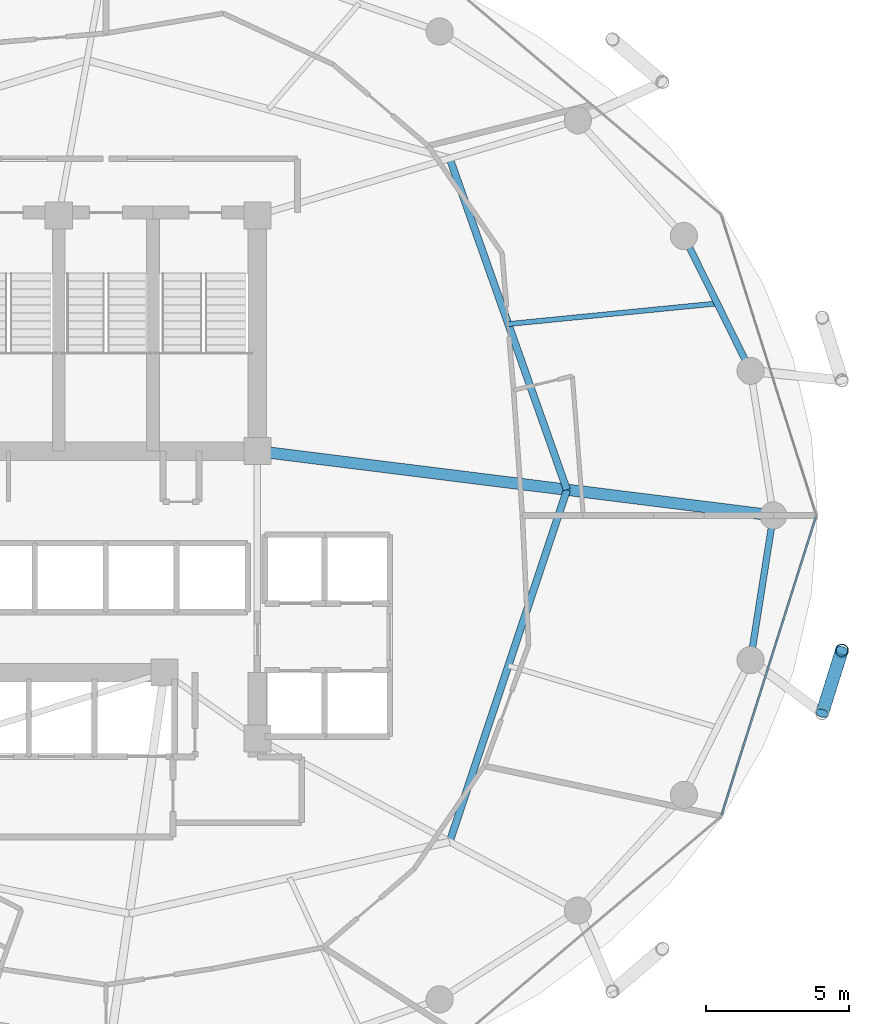
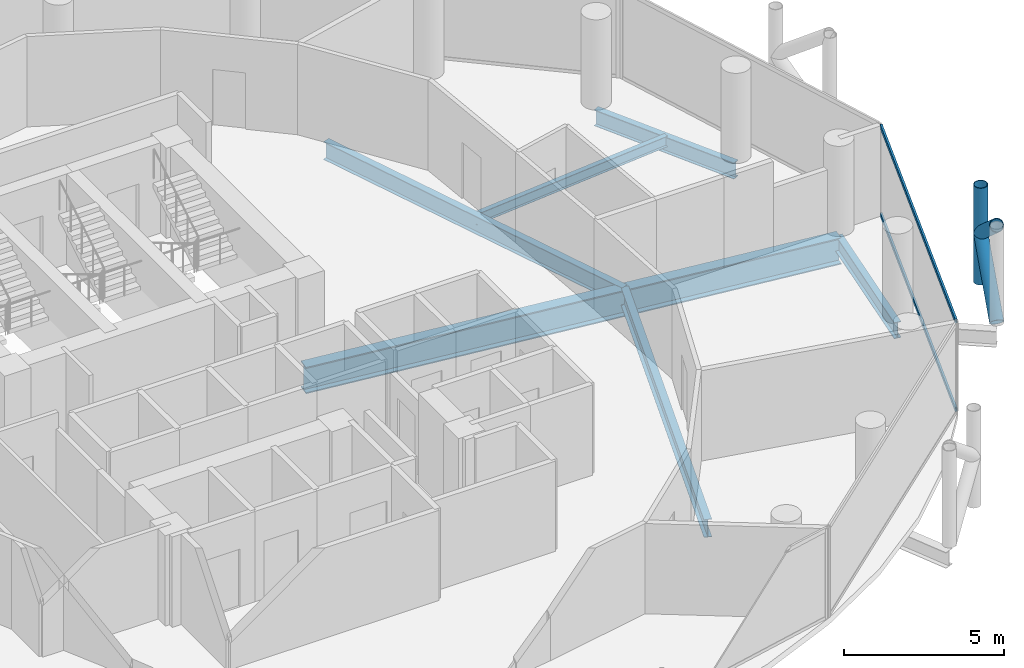
# One storey, part 11 of 26: 6 beams, 5 members, 1 element without a shape of its own.
"""IFC4 building model written with IfcOpenShell, lengths in metres."""

from ifc_helpers import new_model, si_unit, direction, frame, origin, origin_2d, place, context, subcontext, project, spatial, hollow_rectangle, hollow_circle, i_section, extrude, material, layer, layer_set, material_profile, profile_set, type_object, element, aggregate, save


model = new_model("IFC4")

# Units and contexts
model_context = context("Model", 3, precision=1e-05, world=origin(), true_north=direction((0.0, 1.0)))
body_context = subcontext(model_context, "Body", "Model", "MODEL_VIEW")
ifc_project = project(units=[si_unit("LENGTHUNIT", "METRE"), si_unit("AREAUNIT", "SQUARE_METRE"), si_unit("VOLUMEUNIT", "CUBIC_METRE"), si_unit("PLANEANGLEUNIT", "RADIAN"), si_unit("MASSUNIT", "GRAM", prefix="KILO")], contexts=[model_context])

# Site, building, storey
site_placement = place(None, origin())
site = spatial("IfcSite", under=ifc_project, at=site_placement, CompositionType="ELEMENT")
building_placement = place(site_placement, origin())
building = spatial("IfcBuilding", under=site, at=building_placement, Name="Nuhasar Tower", CompositionType="ELEMENT")
storey_placement = place(building_placement, frame((0.0, 0.0, 181.14990234375)))
storey = spatial("IfcBuildingStorey", under=building, at=storey_placement, Name="L44", CompositionType="ELEMENT", Elevation=181.14990234375)

# Beams
ifc_material_1 = material(Name="Steel S355", Category="steel")
ifc_material_profile_1 = material_profile(ifc_material_1, i_section(OverallWidth=0.25390625, OverallDepth=0.68408203125, WebThickness=0.012451171875, FlangeThickness=0.018798828125, at=origin_2d()), Name="W27X94")
ifc_profile_set_1 = profile_set([ifc_material_profile_1], Name="Steel S355")
beam_type_1 = type_object("IfcBeamType", Name="BM-INRING-W27X94", PredefinedType="BEAM", material=ifc_profile_set_1)
beam_1_placement = place(storey_placement, frame((51.027099609375, 15.385986328125, -0.591796875), z_axis=(0.31609797573, 0.948726551615, 0.0), x_axis=(-0.948726551615, 0.31609797573, 0.0)))
element("IfcBeam", 1, at=beam_1_placement, inside=storey, type_object=beam_type_1, Name="L44 Inner Header Beam 03", PredefinedType="BEAM", context=body_context, shape_type="SweptSolid", body=[
    extrude(i_section(OverallWidth=0.25390625, OverallDepth=0.68408203125, WebThickness=0.012451171875, FlangeThickness=0.018798828125, at=origin_2d()), origin(), (0.0, 0.0, 1.0), 12.9794921875),
])
beam_2_placement = place(storey_placement, frame((55.1298828125, 27.699951171875, -0.591796875), z_axis=(-0.333599821096, 0.942714781556, 0.0), x_axis=(-0.942714781556, -0.333599821096, 0.0)))
element("IfcBeam", 2, at=beam_2_placement, inside=storey, type_object=beam_type_1, Name="L44 Inner Header Beam 04", PredefinedType="BEAM", context=body_context, shape_type="SweptSolid", body=[
    extrude(i_section(OverallWidth=0.25390625, OverallDepth=0.68408203125, WebThickness=0.012451171875, FlangeThickness=0.018798828125, at=origin_2d()), origin(), (0.0, 0.0, 1.0), 12.298583984375),
])
ifc_material_profile_2 = material_profile(ifc_material_1, i_section(OverallWidth=0.177978515625, OverallDepth=0.406005859375, WebThickness=0.0078125, FlangeThickness=0.0126953125, at=origin_2d()), Name="W16X40")
ifc_profile_set_2 = profile_set([ifc_material_profile_2], Name="Steel S355")
beam_type_2 = type_object("IfcBeamType", Name="BM-JST-W16X40", PredefinedType="JOIST", material=ifc_profile_set_2)
beam_3_placement = place(storey_placement, frame((53.0791015625, 33.4970703125, -0.452880859375), z_axis=(0.995170244515, 0.098164068947, 0.0), x_axis=(-0.098164068947, 0.995170244515, 0.0)))
element("IfcBeam", 3, at=beam_3_placement, inside=storey, type_object=beam_type_2, Name="L44 Secondary Floor Joist 04", PredefinedType="JOIST", context=body_context, shape_type="SweptSolid", body=[
    extrude(i_section(OverallWidth=0.177978515625, OverallDepth=0.406005859375, WebThickness=0.0078125, FlangeThickness=0.0126953125, at=origin_2d()), origin(), (0.0, 0.0, 1.0), 7.34423828125),
])
ifc_material_profile_3 = material_profile(ifc_material_1, i_section(OverallWidth=0.22998046875, OverallDepth=0.616943359375, WebThickness=0.01318359375, FlangeThickness=0.022216796875, at=origin_2d()), Name="W24X94")
ifc_profile_set_3 = profile_set([ifc_material_profile_3], Name="Steel S355")
beam_type_3 = type_object("IfcBeamType", Name="BM-RING-W24X94", PredefinedType="SPANDREL", material=ifc_profile_set_3)
beam_4_placement = place(storey_placement, frame((61.553955078125, 31.860107421875, -0.558837890625), z_axis=(-0.443347771709, 0.896349682501, 0.0), x_axis=(-0.896349682501, -0.443347771709, 0.0)))
element("IfcBeam", 4, at=beam_4_placement, inside=storey, type_object=beam_type_3, Name="L44 Perimeter Ring Spandrel 02", PredefinedType="SPANDREL", context=body_context, shape_type="SweptSolid", body=[
    extrude(i_section(OverallWidth=0.22998046875, OverallDepth=0.616943359375, WebThickness=0.01318359375, FlangeThickness=0.022216796875, at=origin_2d()), origin(), (0.0, 0.0, 1.0), 5.260009765625),
])
beam_5_placement = place(storey_placement, frame((61.553955078125, 21.739990234375, -0.558837890625), z_axis=(0.155426543608, 0.987847452566, 0.0), x_axis=(-0.987847452566, 0.155426543608, 0.0)))
element("IfcBeam", 5, at=beam_5_placement, inside=storey, type_object=beam_type_3, Name="L44 Perimeter Ring Spandrel 24", PredefinedType="SPANDREL", context=body_context, shape_type="SweptSolid", body=[
    extrude(i_section(OverallWidth=0.22998046875, OverallDepth=0.616943359375, WebThickness=0.01318359375, FlangeThickness=0.022216796875, at=origin_2d()), origin(), (0.0, 0.0, 1.0), 5.122314453125),
])
ifc_material_2 = material(Name="Steel S460", Category="steel")
ifc_material_profile_4 = material_profile(ifc_material_2, i_section(OverallWidth=0.40087890625, OverallDepth=1.010009765625, WebThickness=0.023681640625, FlangeThickness=0.0419921875, at=origin_2d()), Name="W40X297")
ifc_profile_set_4 = profile_set([ifc_material_profile_4], Name="Steel S460")
beam_type_4 = type_object("IfcBeamType", Name="BM-XFER-W40X297", PredefinedType="USERDEFINED", material=ifc_profile_set_4)
beam_6_placement = place(storey_placement, frame((44.300048828125, 29.050048828125, -0.7548828125), z_axis=(0.992320149485, -0.123696082908, 0.0), x_axis=(0.123696082908, 0.992320149485, 0.0)))
element("IfcBeam", 6, at=beam_6_placement, inside=storey, type_object=beam_type_4, Name="L44 Radial Floor Girder 04", ObjectType="GIRDER", PredefinedType="USERDEFINED", context=body_context, shape_type="SweptSolid", body=[
    extrude(i_section(OverallWidth=0.40087890625, OverallDepth=1.010009765625, WebThickness=0.023681640625, FlangeThickness=0.0419921875, at=origin_2d()), origin(), (0.0, 0.0, 1.0), 18.189697265625),
])

# Curtain wall, members
ifc_material_3 = material(Name="Aluminium 6063-T6", Category="aluminium")
ifc_layer = layer(ifc_material_3, 0.199951171875)
ifc_layer_set = layer_set([ifc_layer], Name="Aluminium 6063-T6")
curtain_wall_type = type_object("IfcCurtainWallType", Name="CW-Z2-HTL", PredefinedType="NOTDEFINED", material=ifc_layer_set)
curtain_wall_placement = place(storey_placement, origin())
curtain_wall = element("IfcCurtainWall", 7, at=curtain_wall_placement, inside=storey, type_object=curtain_wall_type, Name="L44 Unitised Curtain Wall 12", PredefinedType="NOTDEFINED")
ifc_material_profile_5 = material_profile(ifc_material_3, hollow_rectangle(XDim=0.070068359375, YDim=0.159912109375, WallThickness=0.00439453125, at=origin_2d()), Name="CWT-3")
ifc_profile_set_5 = profile_set([ifc_material_profile_5], Name="Aluminium 6063-T6")
member_type_1 = type_object("IfcMemberType", Name="CW-TRN-S3", PredefinedType="USERDEFINED", material=ifc_profile_set_5)
member_1_placement = place(storey_placement, frame((60.550048828125, 16.336669921875, 0.03515625), z_axis=(0.301608163352, 0.953431967053, 0.0), x_axis=(-0.953431967053, 0.301608163352, 0.0)))
member_1 = element("IfcMember", 8, at=member_1_placement, type_object=member_type_1, Name="CW-Z2 transom 1.1", ObjectType="TRANSOM", PredefinedType="USERDEFINED", context=body_context, shape_type="SweptSolid", body=[
    extrude(hollow_rectangle(XDim=0.070068359375, YDim=0.159912109375, WallThickness=0.00439453125, at=origin_2d()), origin(), (0.0, 0.0, 1.0), 10.904296875),
])
member_2_placement = place(storey_placement, frame((60.550048828125, 16.336669921875, 3.4150390625), z_axis=(0.301608163352, 0.953431967053, 0.0), x_axis=(-0.953431967053, 0.301608163352, 0.0)))
member_2 = element("IfcMember", 9, at=member_2_placement, type_object=member_type_1, Name="CW-Z2 transom 1.2", ObjectType="TRANSOM", PredefinedType="USERDEFINED", context=body_context, shape_type="SweptSolid", body=[
    extrude(hollow_rectangle(XDim=0.070068359375, YDim=0.159912109375, WallThickness=0.00439453125, at=origin_2d()), origin(), (0.0, 0.0, 1.0), 10.904296875),
])
aggregate(curtain_wall, [member_1, member_2])

# Members
ifc_material_profile_6 = material_profile(ifc_material_2, hollow_circle(Radius=0.228515625, WallThickness=0.022216796875, at=origin_2d()), Name="HSS457X22.2")
ifc_profile_set_6 = profile_set([ifc_material_profile_6], Name="Steel S460")
member_type_2 = type_object("IfcMemberType", Name="EXO-BRONZE-457", PredefinedType="BRACE", material=ifc_profile_set_6)
member_3_placement = place(storey_placement, frame((64.748046875, 22.073974609375, 0.0), z_axis=(0.0, 0.0, 1.0), x_axis=(1.0, 0.0, 0.0)))
element("IfcMember", 10, at=member_3_placement, inside=storey, type_object=member_type_2, Name="L44 Exoskeleton Chord Column EC-12B", PredefinedType="BRACE", context=body_context, shape_type="SweptSolid", body=[
    extrude(hollow_circle(Radius=0.228515625, WallThickness=0.022216796875, at=origin_2d()), origin(), (0.0, 0.0, 1.0), 3.7001953125),
])
for number, where, z_axis, x_axis, name in (
    (11, (64.06005859375, 19.87890625, 0.0), (0.233055548538, 0.743577869731, 0.626719285599), (-0.954228474306, 0.29907861646, 0.0), "L44 Bronze Diagrid Brace W1-12"),
    (12, (64.748046875, 22.073974609375, 1.85009765625), (-0.233055548538, -0.743577869731, 0.626719285599), (0.954228474306, -0.29907861646, 0.0), "L44 Bronze Diagrid Brace W2-12"),
):
    element("IfcMember", number, at=place(storey_placement, frame(where, z_axis=z_axis, x_axis=x_axis)), inside=storey, type_object=member_type_2, Name=name, PredefinedType="BRACE", context=body_context, shape_type="SweptSolid", body=[
        extrude(hollow_circle(Radius=0.228515625, WallThickness=0.022216796875, at=origin_2d()), origin(), (0.0, 0.0, 1.0), 2.9521484375),
    ])

save(model, "model.ifc")
